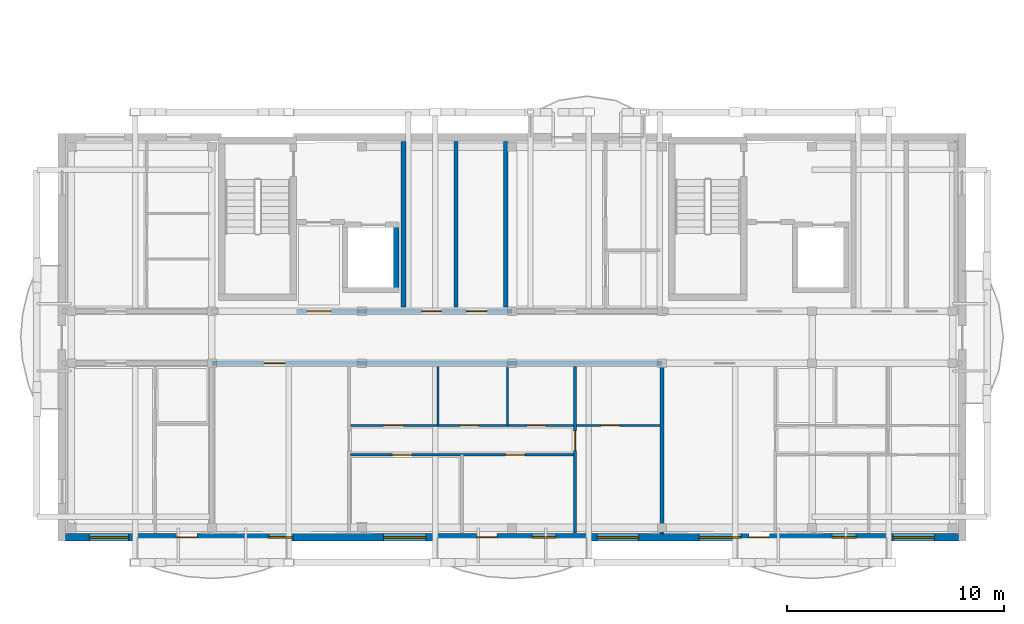
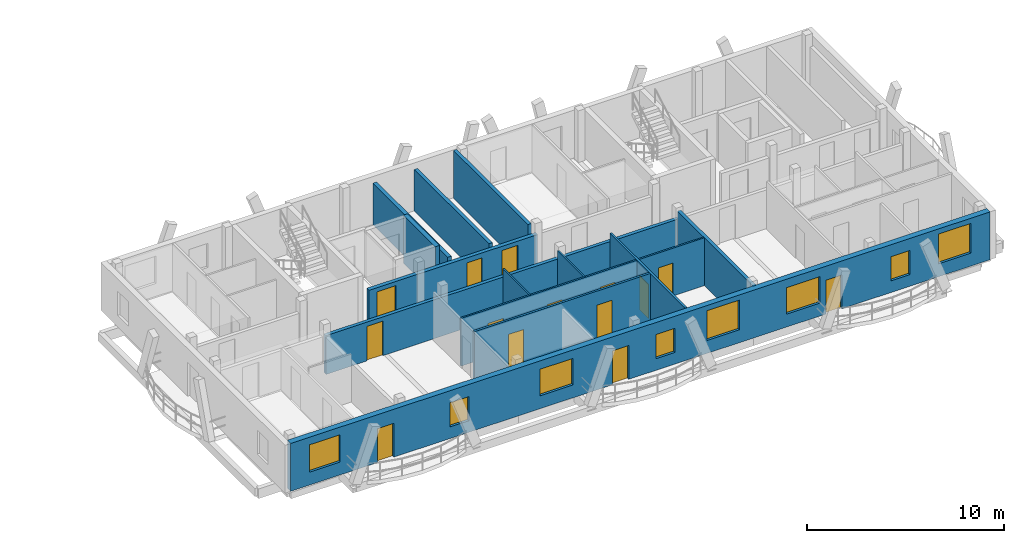
# One storey, part 5 of 10: 14 doors, 13 walls, 8 windows, 22 openings.
"""IFC4 building model written with IfcOpenShell, lengths in metres."""

from ifc_helpers import new_model, si_unit, direction, frame, frame_2d, origin, origin_with_axes, place, context, subcontext, project, spatial, rectangle, extrude, material, layer, layer_set, type_object, element, fill, save


model = new_model("IFC4")

# Units and contexts
model_context = context("Model", 3, precision=1e-05, world=origin(), true_north=direction((0.0, 1.0)))
body_context = subcontext(model_context, "Body", "Model", "MODEL_VIEW")
ifc_project = project(units=[si_unit("LENGTHUNIT", "METRE"), si_unit("AREAUNIT", "SQUARE_METRE"), si_unit("VOLUMEUNIT", "CUBIC_METRE"), si_unit("PLANEANGLEUNIT", "RADIAN"), si_unit("MASSUNIT", "GRAM", prefix="KILO")], contexts=[model_context])

# Site, building, storey
site_placement = place(None, origin())
site = spatial("IfcSite", under=ifc_project, at=site_placement, CompositionType="ELEMENT")
building_placement = place(site_placement, origin())
building = spatial("IfcBuilding", under=site, at=building_placement, Name="Zavelmont Quarter", CompositionType="ELEMENT")
storey_placement = place(building_placement, frame((0.0, 0.0, 43.199951171875)))
storey = spatial("IfcBuildingStorey", under=building, at=storey_placement, Name="L13", CompositionType="ELEMENT", Elevation=43.199951171875)

# Wall, openings, doors, windows
ifc_material_1 = material(Name="Natural Belgian limestone", Category="masonry")
ifc_layer_1 = layer(ifc_material_1, 0.340087890625)
ifc_layer_set_1 = layer_set([ifc_layer_1], Name="Natural Belgian limestone")
wall_type_1 = type_object("IfcWallType", Name="EW03", PredefinedType="STANDARD", material=ifc_layer_set_1)
wall_1_placement = place(storey_placement, frame((0.159912109375, 0.0, 0.0), z_axis=(0.0, 0.0, 1.0), x_axis=(1.0, 0.0, 0.0)))
wall_1 = element("IfcWall", 1, at=wall_1_placement, inside=storey, type_object=wall_type_1, Name="L13 exterior limestone wall EW03", PredefinedType="STANDARD", context=body_context, shape_type="SweptSolid", body=[
    extrude(rectangle(XDim=41.080078125, YDim=0.340087890625, at=frame_2d((20.5400390625, 0.0))), origin(), (0.0, 0.0, 1.0), 2.969970703125),
])
opening_1_placement = place(wall_1_placement, frame((5.110107421875, 0.0, 0.0)))
opening_1 = element("IfcOpeningElement", 2, at=opening_1_placement, cuts=wall_1, Name="Opening DR04", PredefinedType="OPENING", context=body_context, shape_type="SweptSolid", body=[
    extrude(rectangle(XDim=0.949951171875, YDim=2.10009765625, at=frame_2d((0.47509765625, 1.050048828125))), frame((0.0, 0.18212890625, 0.0), z_axis=(0.0, -1.0, 0.0), x_axis=(1.0, 0.0, 0.0)), (0.0, 0.0, 1.0), 0.364013671875),
])
opening_2_placement = place(wall_1_placement, frame((18.909912109375, 0.0, 0.0)))
opening_2 = element("IfcOpeningElement", 3, at=opening_2_placement, cuts=wall_1, Name="Opening DR04", PredefinedType="OPENING", context=body_context, shape_type="SweptSolid", body=[
    extrude(rectangle(XDim=0.949951171875, YDim=2.10009765625, at=frame_2d((0.47509765625, 1.050048828125))), frame((0.0, 0.18212890625, 0.0), z_axis=(0.0, -1.0, 0.0), x_axis=(1.0, 0.0, 0.0)), (0.0, 0.0, 1.0), 0.364013671875),
])
opening_3_placement = place(wall_1_placement, frame((31.43115234375, 0.0, 0.0)))
opening_3 = element("IfcOpeningElement", 4, at=opening_3_placement, cuts=wall_1, Name="Opening DR04", PredefinedType="OPENING", context=body_context, shape_type="SweptSolid", body=[
    extrude(rectangle(XDim=0.949951171875, YDim=2.10009765625, at=frame_2d((0.47509765625, 1.050048828125))), frame((0.0, 0.18212890625, 0.0), z_axis=(0.0, -1.0, 0.0), x_axis=(1.0, 0.0, 0.0)), (0.0, 0.0, 1.0), 0.364013671875),
])
opening_4_placement = place(wall_1_placement, frame((1.110107421875, 0.0, 0.800048828125)))
opening_4 = element("IfcOpeningElement", 5, at=opening_4_placement, cuts=wall_1, Name="Opening WN02", PredefinedType="OPENING", context=body_context, shape_type="SweptSolid", body=[
    extrude(rectangle(XDim=1.800048828125, YDim=1.699951171875, at=frame_2d((0.89990234375, 0.85009765625))), frame((0.0, 0.18212890625, 0.0), z_axis=(0.0, -1.0, 0.0), x_axis=(1.0, 0.0, 0.0)), (0.0, 0.0, 1.0), 0.364013671875),
])
opening_5_placement = place(wall_1_placement, frame((9.360107421875, 0.0, 0.719970703125)))
opening_5 = element("IfcOpeningElement", 6, at=opening_5_placement, cuts=wall_1, Name="Opening WN09", PredefinedType="OPENING", context=body_context, shape_type="SweptSolid", body=[
    extrude(rectangle(XDim=1.10009765625, YDim=1.5, at=frame_2d((0.550048828125, 0.75))), frame((0.0, 0.18212890625, 0.0), z_axis=(0.0, -1.0, 0.0), x_axis=(1.0, 0.0, 0.0)), (0.0, 0.0, 1.0), 0.364013671875),
])
opening_6_placement = place(wall_1_placement, frame((14.635009765625, 0.0, 0.800048828125)))
opening_6 = element("IfcOpeningElement", 7, at=opening_6_placement, cuts=wall_1, Name="Opening WN24", PredefinedType="OPENING", context=body_context, shape_type="SweptSolid", body=[
    extrude(rectangle(XDim=1.949951171875, YDim=1.64990234375, at=frame_2d((0.97509765625, 0.824951171875))), frame((0.0, 0.18212890625, 0.0), z_axis=(0.0, -1.0, 0.0), x_axis=(1.0, 0.0, 0.0)), (0.0, 0.0, 1.0), 0.364013671875),
])
opening_7_placement = place(wall_1_placement, frame((21.4599609375, 0.0, 0.719970703125)))
opening_7 = element("IfcOpeningElement", 8, at=opening_7_placement, cuts=wall_1, Name="Opening WN09", PredefinedType="OPENING", context=body_context, shape_type="SweptSolid", body=[
    extrude(rectangle(XDim=1.10009765625, YDim=1.5, at=frame_2d((0.550048828125, 0.75))), frame((0.0, 0.18212890625, 0.0), z_axis=(0.0, -1.0, 0.0), x_axis=(1.0, 0.0, 0.0)), (0.0, 0.0, 1.0), 0.364013671875),
])
opening_8_placement = place(wall_1_placement, frame((24.4599609375, 0.0, 0.800048828125)))
opening_8 = element("IfcOpeningElement", 9, at=opening_8_placement, cuts=wall_1, Name="Opening WN20", PredefinedType="OPENING", context=body_context, shape_type="SweptSolid", body=[
    extrude(rectangle(XDim=1.89990234375, YDim=1.85009765625, at=frame_2d((0.949951171875, 0.925048828125))), frame((0.0, 0.18212890625, 0.0), z_axis=(0.0, -1.0, 0.0), x_axis=(1.0, 0.0, 0.0)), (0.0, 0.0, 1.0), 0.364013671875),
])
opening_9_placement = place(wall_1_placement, frame((29.135009765625, 0.0, 0.800048828125)))
opening_9 = element("IfcOpeningElement", 10, at=opening_9_placement, cuts=wall_1, Name="Opening WN24", PredefinedType="OPENING", context=body_context, shape_type="SweptSolid", body=[
    extrude(rectangle(XDim=1.949951171875, YDim=1.64990234375, at=frame_2d((0.97509765625, 0.824951171875))), frame((0.0, 0.18212890625, 0.0), z_axis=(0.0, -1.0, 0.0), x_axis=(1.0, 0.0, 0.0)), (0.0, 0.0, 1.0), 0.364013671875),
])
opening_10_placement = place(wall_1_placement, frame((35.260009765625, 0.0, 0.719970703125)))
opening_10 = element("IfcOpeningElement", 11, at=opening_10_placement, cuts=wall_1, Name="Opening WN09", PredefinedType="OPENING", context=body_context, shape_type="SweptSolid", body=[
    extrude(rectangle(XDim=1.10009765625, YDim=1.5, at=frame_2d((0.550048828125, 0.75))), frame((0.0, 0.18212890625, 0.0), z_axis=(0.0, -1.0, 0.0), x_axis=(1.0, 0.0, 0.0)), (0.0, 0.0, 1.0), 0.364013671875),
])
opening_11_placement = place(wall_1_placement, frame((38.06005859375, 0.0, 0.800048828125)))
opening_11 = element("IfcOpeningElement", 12, at=opening_11_placement, cuts=wall_1, Name="Opening WN20", PredefinedType="OPENING", context=body_context, shape_type="SweptSolid", body=[
    extrude(rectangle(XDim=1.89990234375, YDim=1.85009765625, at=frame_2d((0.949951171875, 0.925048828125))), frame((0.0, 0.18212890625, 0.0), z_axis=(0.0, -1.0, 0.0), x_axis=(1.0, 0.0, 0.0)), (0.0, 0.0, 1.0), 0.364013671875),
])
ifc_material_2 = material(Name="Thermally broken aluminium and double safety glass", Category="aluminium")
door_type_1 = type_object("IfcDoorType", Name="DR04", OperationType="NOTDEFINED", PredefinedType="DOOR", material=ifc_material_2)
door_1_placement = place(opening_1_placement, origin_with_axes())
door_1 = element("IfcDoor", 13, at=door_1_placement, inside=storey, type_object=door_type_1, Name="Block A L13 glazed balcony door", OperationType="SINGLE_SWING_RIGHT", OverallHeight=2.10009765625, OverallWidth=0.949951171875, PredefinedType="DOOR", context=body_context, shape_type="SweptSolid", body=[
    extrude(rectangle(XDim=0.949951171875, YDim=2.10009765625, at=frame_2d((0.47509765625, 1.050048828125))), frame((0.0, 0.02490234375, 0.0), z_axis=(0.0, -1.0, 0.0), x_axis=(1.0, 0.0, 0.0)), (0.0, 0.0, 1.0), 0.050048828125),
])
fill(opening_1, door_1)
door_2_placement = place(opening_2_placement, origin_with_axes())
door_2 = element("IfcDoor", 14, at=door_2_placement, inside=storey, type_object=door_type_1, Name="Block A L13 glazed balcony door", OperationType="SINGLE_SWING_RIGHT", OverallHeight=2.10009765625, OverallWidth=0.949951171875, PredefinedType="DOOR", context=body_context, shape_type="SweptSolid", body=[
    extrude(rectangle(XDim=0.949951171875, YDim=2.10009765625, at=frame_2d((0.47509765625, 1.050048828125))), frame((0.0, 0.02490234375, 0.0), z_axis=(0.0, -1.0, 0.0), x_axis=(1.0, 0.0, 0.0)), (0.0, 0.0, 1.0), 0.050048828125),
])
fill(opening_2, door_2)
door_3_placement = place(opening_3_placement, origin_with_axes())
door_3 = element("IfcDoor", 15, at=door_3_placement, inside=storey, type_object=door_type_1, Name="Block A L13 glazed balcony door", OperationType="SINGLE_SWING_RIGHT", OverallHeight=2.10009765625, OverallWidth=0.949951171875, PredefinedType="DOOR", context=body_context, shape_type="SweptSolid", body=[
    extrude(rectangle(XDim=0.949951171875, YDim=2.10009765625, at=frame_2d((0.47509765625, 1.050048828125))), frame((0.0, 0.02490234375, 0.0), z_axis=(0.0, -1.0, 0.0), x_axis=(1.0, 0.0, 0.0)), (0.0, 0.0, 1.0), 0.050048828125),
])
fill(opening_3, door_3)
ifc_material_3 = material(Name="Double low-E insulated glazing in thermally broken aluminium frame", Category="aluminium")
window_type_1 = type_object("IfcWindowType", Name="WN02", PartitioningType="SINGLE_PANEL", PredefinedType="WINDOW", material=ifc_material_3)
window_1_placement = place(opening_4_placement, origin_with_axes())
window_1 = element("IfcWindow", 16, at=window_1_placement, inside=storey, type_object=window_type_1, Name="L13 window WN02", OverallHeight=1.699951171875, OverallWidth=1.800048828125, PartitioningType="SINGLE_PANEL", PredefinedType="WINDOW", context=body_context, shape_type="SweptSolid", body=[
    extrude(rectangle(XDim=1.800048828125, YDim=1.699951171875, at=frame_2d((0.89990234375, 0.85009765625))), frame((0.0, 0.030029296875, 0.0), z_axis=(0.0, -1.0, 0.0), x_axis=(1.0, 0.0, 0.0)), (0.0, 0.0, 1.0), 0.06005859375),
])
fill(opening_4, window_1)
window_type_2 = type_object("IfcWindowType", Name="WN09", PartitioningType="SINGLE_PANEL", PredefinedType="WINDOW", material=ifc_material_3)
window_2_placement = place(opening_5_placement, origin_with_axes())
window_2 = element("IfcWindow", 17, at=window_2_placement, inside=storey, type_object=window_type_2, Name="L13 window WN09", OverallHeight=1.5, OverallWidth=1.10009765625, PartitioningType="SINGLE_PANEL", PredefinedType="WINDOW", context=body_context, shape_type="SweptSolid", body=[
    extrude(rectangle(XDim=1.10009765625, YDim=1.5, at=frame_2d((0.550048828125, 0.75))), frame((0.0, 0.030029296875, 0.0), z_axis=(0.0, -1.0, 0.0), x_axis=(1.0, 0.0, 0.0)), (0.0, 0.0, 1.0), 0.06005859375),
])
fill(opening_5, window_2)
window_3_placement = place(opening_7_placement, origin_with_axes())
window_3 = element("IfcWindow", 18, at=window_3_placement, inside=storey, type_object=window_type_2, Name="L13 window WN09", OverallHeight=1.5, OverallWidth=1.10009765625, PartitioningType="SINGLE_PANEL", PredefinedType="WINDOW", context=body_context, shape_type="SweptSolid", body=[
    extrude(rectangle(XDim=1.10009765625, YDim=1.5, at=frame_2d((0.550048828125, 0.75))), frame((0.0, 0.030029296875, 0.0), z_axis=(0.0, -1.0, 0.0), x_axis=(1.0, 0.0, 0.0)), (0.0, 0.0, 1.0), 0.06005859375),
])
fill(opening_7, window_3)
window_4_placement = place(opening_10_placement, origin_with_axes())
window_4 = element("IfcWindow", 19, at=window_4_placement, inside=storey, type_object=window_type_2, Name="L13 window WN09", OverallHeight=1.5, OverallWidth=1.10009765625, PartitioningType="SINGLE_PANEL", PredefinedType="WINDOW", context=body_context, shape_type="SweptSolid", body=[
    extrude(rectangle(XDim=1.10009765625, YDim=1.5, at=frame_2d((0.550048828125, 0.75))), frame((0.0, 0.030029296875, 0.0), z_axis=(0.0, -1.0, 0.0), x_axis=(1.0, 0.0, 0.0)), (0.0, 0.0, 1.0), 0.06005859375),
])
fill(opening_10, window_4)
window_type_3 = type_object("IfcWindowType", Name="WN20", PartitioningType="SINGLE_PANEL", PredefinedType="WINDOW", material=ifc_material_3)
window_5_placement = place(opening_8_placement, origin_with_axes())
window_5 = element("IfcWindow", 20, at=window_5_placement, inside=storey, type_object=window_type_3, Name="L13 window WN20", OverallHeight=1.85009765625, OverallWidth=1.89990234375, PartitioningType="SINGLE_PANEL", PredefinedType="WINDOW", context=body_context, shape_type="SweptSolid", body=[
    extrude(rectangle(XDim=1.89990234375, YDim=1.85009765625, at=frame_2d((0.949951171875, 0.925048828125))), frame((0.0, 0.030029296875, 0.0), z_axis=(0.0, -1.0, 0.0), x_axis=(1.0, 0.0, 0.0)), (0.0, 0.0, 1.0), 0.06005859375),
])
fill(opening_8, window_5)
window_6_placement = place(opening_11_placement, origin_with_axes())
window_6 = element("IfcWindow", 21, at=window_6_placement, inside=storey, type_object=window_type_3, Name="L13 window WN20", OverallHeight=1.85009765625, OverallWidth=1.89990234375, PartitioningType="SINGLE_PANEL", PredefinedType="WINDOW", context=body_context, shape_type="SweptSolid", body=[
    extrude(rectangle(XDim=1.89990234375, YDim=1.85009765625, at=frame_2d((0.949951171875, 0.925048828125))), frame((0.0, 0.030029296875, 0.0), z_axis=(0.0, -1.0, 0.0), x_axis=(1.0, 0.0, 0.0)), (0.0, 0.0, 1.0), 0.06005859375),
])
fill(opening_11, window_6)
window_type_4 = type_object("IfcWindowType", Name="WN24", PartitioningType="SINGLE_PANEL", PredefinedType="WINDOW", material=ifc_material_3)
window_7_placement = place(opening_6_placement, origin_with_axes())
window_7 = element("IfcWindow", 22, at=window_7_placement, inside=storey, type_object=window_type_4, Name="L13 window WN24", OverallHeight=1.64990234375, OverallWidth=1.949951171875, PartitioningType="SINGLE_PANEL", PredefinedType="WINDOW", context=body_context, shape_type="SweptSolid", body=[
    extrude(rectangle(XDim=1.949951171875, YDim=1.64990234375, at=frame_2d((0.97509765625, 0.824951171875))), frame((0.0, 0.030029296875, 0.0), z_axis=(0.0, -1.0, 0.0), x_axis=(1.0, 0.0, 0.0)), (0.0, 0.0, 1.0), 0.06005859375),
])
fill(opening_6, window_7)
window_8_placement = place(opening_9_placement, origin_with_axes())
window_8 = element("IfcWindow", 23, at=window_8_placement, inside=storey, type_object=window_type_4, Name="L13 window WN24", OverallHeight=1.64990234375, OverallWidth=1.949951171875, PartitioningType="SINGLE_PANEL", PredefinedType="WINDOW", context=body_context, shape_type="SweptSolid", body=[
    extrude(rectangle(XDim=1.949951171875, YDim=1.64990234375, at=frame_2d((0.97509765625, 0.824951171875))), frame((0.0, 0.030029296875, 0.0), z_axis=(0.0, -1.0, 0.0), x_axis=(1.0, 0.0, 0.0)), (0.0, 0.0, 1.0), 0.06005859375),
])
fill(opening_9, window_8)

# Walls
ifc_material_4 = material(Name="Calcium-silicate blockwork and acoustic plaster", Category="masonry")
ifc_layer_2 = layer(ifc_material_4, 0.199951171875)
ifc_layer_set_2 = layer_set([ifc_layer_2], Name="Calcium-silicate blockwork and acoustic plaster")
wall_type_2 = type_object("IfcWallType", Name="IW01", PredefinedType="PARTITIONING", material=ifc_layer_set_2)
wall_2_placement = place(storey_placement, frame((18.125, 10.60009765625, 0.0), z_axis=(0.0, 0.0, 1.0), x_axis=(0.0, 1.0, 0.0)))
element("IfcWall", 24, at=wall_2_placement, inside=storey, type_object=wall_type_2, Name="L13 Service riser divider wall IW01", PredefinedType="PARTITIONING", context=body_context, shape_type="SweptSolid", body=[
    extrude(rectangle(XDim=7.599853515625, YDim=0.199951171875, at=frame_2d((3.7998046875, 0.0))), origin(), (0.0, 0.0, 1.0), 2.590087890625),
])
wall_3_placement = place(storey_placement, frame((20.419921875, 10.60009765625, 0.0), z_axis=(0.0, 0.0, 1.0), x_axis=(0.0, 1.0, 0.0)))
element("IfcWall", 25, at=wall_3_placement, inside=storey, type_object=wall_type_2, Name="L13 Core service end wall IW01", PredefinedType="PARTITIONING", context=body_context, shape_type="SweptSolid", body=[
    extrude(rectangle(XDim=7.599853515625, YDim=0.199951171875, at=frame_2d((3.7998046875, 0.0))), origin(), (0.0, 0.0, 1.0), 2.969970703125),
])
wall_4_placement = place(storey_placement, frame((27.60009765625, 7.85009765625, 0.0), z_axis=(0.0, 0.0, 1.0), x_axis=(0.0, -1.0, 0.0)))
element("IfcWall", 26, at=wall_4_placement, inside=storey, type_object=wall_type_2, Name="L13 Inter-dwelling compartment wall IW01", PredefinedType="PARTITIONING", context=body_context, shape_type="SweptSolid", body=[
    extrude(rectangle(XDim=7.7001953125, YDim=0.199951171875, at=frame_2d((3.85009765625, 0.0))), origin(), (0.0, 0.0, 1.0), 2.969970703125),
])

# Wall, opening, door
wall_5_placement = place(storey_placement, frame((6.89990234375, 8.0, 0.0), z_axis=(0.0, 0.0, 1.0), x_axis=(1.0, 0.0, 0.0)))
wall_5 = element("IfcWall", 27, at=wall_5_placement, inside=storey, type_object=wall_type_2, Name="L13 Corridor compartment wall IW01", PredefinedType="PARTITIONING", context=body_context, shape_type="SweptSolid", body=[
    extrude(rectangle(XDim=20.7001953125, YDim=0.199951171875, at=frame_2d((10.35009765625, 0.0))), origin(), (0.0, 0.0, 1.0), 2.41015625),
])
opening_12_placement = place(wall_5_placement, frame((2.39990234375, 0.0, 0.0)))
opening_12 = element("IfcOpeningElement", 28, at=opening_12_placement, cuts=wall_5, Name="Opening DR02", PredefinedType="OPENING", context=body_context, shape_type="SweptSolid", body=[
    extrude(rectangle(XDim=0.949951171875, YDim=2.14990234375, at=frame_2d((0.47509765625, 1.074951171875))), frame((0.0, 0.11181640625, 0.0), z_axis=(0.0, -1.0, 0.0), x_axis=(1.0, 0.0, 0.0)), (0.0, 0.0, 1.0), 0.223876953125),
])
ifc_material_5 = material(Name="Solid-core oak fire leaf in steel frame", Category="steel")
door_type_2 = type_object("IfcDoorType", Name="DR02", OperationType="NOTDEFINED", PredefinedType="DOOR", material=ifc_material_5)
door_4_placement = place(opening_12_placement, frame((0.949951171875, 0.0, 0.0), z_axis=(0.0, 0.0, 1.0), x_axis=(-1.0, 0.0, 0.0)))
door_4 = element("IfcDoor", 29, at=door_4_placement, inside=storey, type_object=door_type_2, Name="L13 door DR02", OperationType="SINGLE_SWING_LEFT", OverallHeight=2.14990234375, OverallWidth=0.949951171875, PredefinedType="DOOR", context=body_context, shape_type="SweptSolid", body=[
    extrude(rectangle(XDim=0.949951171875, YDim=2.14990234375, at=frame_2d((0.47509765625, 1.074951171875))), frame((0.0, 0.02490234375, 0.0), z_axis=(0.0, -1.0, 0.0), x_axis=(1.0, 0.0, 0.0)), (0.0, 0.0, 1.0), 0.050048828125),
])
fill(opening_12, door_4)

# Wall
ifc_material_6 = material(Name="Reinforced masonry fire compartment wall", Category="masonry")
ifc_layer_3 = layer(ifc_material_6, 0.22509765625)
ifc_layer_set_3 = layer_set([ifc_layer_3], Name="Reinforced masonry fire compartment wall")
wall_type_3 = type_object("IfcWallType", Name="IW02", PredefinedType="PARTITIONING", material=ifc_layer_set_3)
wall_6_placement = place(storey_placement, frame((15.7099609375, 10.60009765625, 0.0), z_axis=(0.0, 0.0, 1.0), x_axis=(0.0, 1.0, 0.0)))
element("IfcWall", 30, at=wall_6_placement, inside=storey, type_object=wall_type_3, Name="L13 Firefighting lobby enclosure wall IW02", PredefinedType="PARTITIONING", context=body_context, shape_type="SweptSolid", body=[
    extrude(rectangle(XDim=7.599853515625, YDim=0.22509765625, at=frame_2d((3.7998046875, 0.0))), origin(), (0.0, 0.0, 1.0), 2.590087890625),
])

# Wall, openings, doors
wall_7_placement = place(storey_placement, frame((10.800048828125, 10.39990234375, 0.0), z_axis=(0.0, 0.0, 1.0), x_axis=(1.0, 0.0, 0.0)))
wall_7 = element("IfcWall", 31, at=wall_7_placement, inside=storey, type_object=wall_type_3, Name="L13 Core corridor fire wall IW02", PredefinedType="PARTITIONING", context=body_context, shape_type="SweptSolid", body=[
    extrude(rectangle(XDim=9.89990234375, YDim=0.22509765625, at=frame_2d((4.949951171875, 0.0))), origin(), (0.0, 0.0, 1.0), 2.41015625),
])
opening_13_placement = place(wall_7_placement, frame((0.47509765625, 0.0, 0.0)))
opening_13 = element("IfcOpeningElement", 32, at=opening_13_placement, cuts=wall_7, Name="Opening DR10", PredefinedType="OPENING", context=body_context, shape_type="SweptSolid", body=[
    extrude(rectangle(XDim=1.10009765625, YDim=2.14990234375, at=frame_2d((0.550048828125, 1.074951171875))), frame((0.0, 0.12451171875, 0.0), z_axis=(0.0, -1.0, 0.0), x_axis=(1.0, 0.0, 0.0)), (0.0, 0.0, 1.0), 0.2490234375),
])
opening_14_placement = place(wall_7_placement, frame((5.75, 0.0, 0.0)))
opening_14 = element("IfcOpeningElement", 33, at=opening_14_placement, cuts=wall_7, Name="Opening DR11", PredefinedType="OPENING", context=body_context, shape_type="SweptSolid", body=[
    extrude(rectangle(XDim=0.89990234375, YDim=2.10009765625, at=frame_2d((0.449951171875, 1.050048828125))), frame((0.0, 0.12451171875, 0.0), z_axis=(0.0, -1.0, 0.0), x_axis=(1.0, 0.0, 0.0)), (0.0, 0.0, 1.0), 0.2490234375),
])
opening_15_placement = place(wall_7_placement, frame((7.800048828125, 0.0, 0.0)))
opening_15 = element("IfcOpeningElement", 34, at=opening_15_placement, cuts=wall_7, Name="Opening DR02", PredefinedType="OPENING", context=body_context, shape_type="SweptSolid", body=[
    extrude(rectangle(XDim=0.949951171875, YDim=2.14990234375, at=frame_2d((0.47509765625, 1.074951171875))), frame((0.0, 0.12451171875, 0.0), z_axis=(0.0, -1.0, 0.0), x_axis=(1.0, 0.0, 0.0)), (0.0, 0.0, 1.0), 0.2490234375),
])
door_5_placement = place(opening_15_placement, frame((0.949951171875, 0.0, 0.0), z_axis=(0.0, 0.0, 1.0), x_axis=(-1.0, 0.0, 0.0)))
door_5 = element("IfcDoor", 35, at=door_5_placement, inside=storey, type_object=door_type_2, Name="Auxiliary store corridor door", OperationType="SINGLE_SWING_RIGHT", OverallHeight=2.14990234375, OverallWidth=0.949951171875, PredefinedType="DOOR", context=body_context, shape_type="SweptSolid", body=[
    extrude(rectangle(XDim=0.949951171875, YDim=2.14990234375, at=frame_2d((0.47509765625, 1.074951171875))), frame((0.0, 0.02490234375, 0.0), z_axis=(0.0, -1.0, 0.0), x_axis=(1.0, 0.0, 0.0)), (0.0, 0.0, 1.0), 0.050048828125),
])
fill(opening_15, door_5)
ifc_material_7 = material(Name="Painted steel lobby fire door", Category="steel")
door_type_3 = type_object("IfcDoorType", Name="DR10", OperationType="NOTDEFINED", PredefinedType="DOOR", material=ifc_material_7)
door_6_placement = place(opening_13_placement, origin_with_axes())
door_6 = element("IfcDoor", 36, at=door_6_placement, inside=storey, type_object=door_type_3, Name="Core vestibule fire door", OperationType="SINGLE_SWING_RIGHT", OverallHeight=2.14990234375, OverallWidth=1.10009765625, PredefinedType="DOOR", context=body_context, shape_type="SweptSolid", body=[
    extrude(rectangle(XDim=1.10009765625, YDim=2.14990234375, at=frame_2d((0.550048828125, 1.074951171875))), frame((0.0, 0.02490234375, 0.0), z_axis=(0.0, -1.0, 0.0), x_axis=(1.0, 0.0, 0.0)), (0.0, 0.0, 1.0), 0.050048828125),
])
fill(opening_13, door_6)
ifc_material_8 = material(Name="Painted steel service-riser fire door", Category="steel")
door_type_4 = type_object("IfcDoorType", Name="DR11", OperationType="NOTDEFINED", PredefinedType="DOOR", material=ifc_material_8)
door_7_placement = place(opening_14_placement, frame((0.89990234375, 0.0, 0.0), z_axis=(0.0, 0.0, 1.0), x_axis=(-1.0, 0.0, 0.0)))
door_7 = element("IfcDoor", 37, at=door_7_placement, inside=storey, type_object=door_type_4, Name="Service riser fire door", OperationType="SINGLE_SWING_LEFT", OverallHeight=2.10009765625, OverallWidth=0.89990234375, PredefinedType="DOOR", context=body_context, shape_type="SweptSolid", body=[
    extrude(rectangle(XDim=0.89990234375, YDim=2.10009765625, at=frame_2d((0.449951171875, 1.050048828125))), frame((0.0, 0.02490234375, 0.0), z_axis=(0.0, -1.0, 0.0), x_axis=(1.0, 0.0, 0.0)), (0.0, 0.0, 1.0), 0.050048828125),
])
fill(opening_14, door_7)

# Wall, opening, door
ifc_material_9 = material(Name="Double gypsum board on acoustic steel stud", Category="steel")
ifc_layer_4 = layer(ifc_material_9, 0.125)
ifc_layer_set_4 = layer_set([ifc_layer_4], Name="Double gypsum board on acoustic steel stud")
wall_type_4 = type_object("IfcWallType", Name="IW03", PredefinedType="PARTITIONING", material=ifc_layer_set_4)
wall_8_placement = place(storey_placement, frame((23.60009765625, 7.85009765625, 0.0), z_axis=(0.0, 0.0, 1.0), x_axis=(0.0, -1.0, 0.0)))
wall_8 = element("IfcWall", 38, at=wall_8_placement, inside=storey, type_object=wall_type_4, Name="L13 Partition IW03", PredefinedType="PARTITIONING", context=body_context, shape_type="SweptSolid", body=[
    extrude(rectangle(XDim=7.650146484375, YDim=0.125, at=frame_2d((3.8251953125, 0.0))), origin(), (0.0, 0.0, 1.0), 2.969970703125),
])
opening_16_placement = place(wall_8_placement, frame((2.949951171875, 0.0, 0.0)))
opening_16 = element("IfcOpeningElement", 39, at=opening_16_placement, cuts=wall_8, Name="Opening DR05", PredefinedType="OPENING", context=body_context, shape_type="SweptSolid", body=[
    extrude(rectangle(XDim=0.89990234375, YDim=2.10009765625, at=frame_2d((0.449951171875, 1.050048828125))), frame((0.0, 0.074462890625, 0.0), z_axis=(0.0, -1.0, 0.0), x_axis=(1.0, 0.0, 0.0)), (0.0, 0.0, 1.0), 0.14892578125),
])
ifc_material_10 = material(Name="Engineered oak flush interior door")
door_type_5 = type_object("IfcDoorType", Name="DR05", OperationType="NOTDEFINED", PredefinedType="DOOR", material=ifc_material_10)
door_8_placement = place(opening_16_placement, origin_with_axes())
door_8 = element("IfcDoor", 40, at=door_8_placement, inside=storey, type_object=door_type_5, Name="L13 door DR05", OperationType="SINGLE_SWING_RIGHT", OverallHeight=2.10009765625, OverallWidth=0.89990234375, PredefinedType="DOOR", context=body_context, shape_type="SweptSolid", body=[
    extrude(rectangle(XDim=0.89990234375, YDim=2.10009765625, at=frame_2d((0.449951171875, 1.050048828125))), frame((0.0, 0.02490234375, 0.0), z_axis=(0.0, -1.0, 0.0), x_axis=(1.0, 0.0, 0.0)), (0.0, 0.0, 1.0), 0.050048828125),
])
fill(opening_16, door_8)

# Wall, openings, doors
wall_9_placement = place(storey_placement, frame((13.199951171875, 3.800048828125, 0.0), z_axis=(0.0, 0.0, 1.0), x_axis=(1.0, 0.0, 0.0)))
wall_9 = element("IfcWall", 41, at=wall_9_placement, inside=storey, type_object=wall_type_4, Name="L13 Partition IW03", PredefinedType="PARTITIONING", context=body_context, shape_type="SweptSolid", body=[
    extrude(rectangle(XDim=10.400146484375, YDim=0.125, at=frame_2d((5.2001953125, 0.0))), origin(), (0.0, 0.0, 1.0), 2.969970703125),
])
opening_17_placement = place(wall_9_placement, frame((2.0, 0.0, 0.0)))
opening_17 = element("IfcOpeningElement", 42, at=opening_17_placement, cuts=wall_9, Name="Opening DR05", PredefinedType="OPENING", context=body_context, shape_type="SweptSolid", body=[
    extrude(rectangle(XDim=0.89990234375, YDim=2.10009765625, at=frame_2d((0.449951171875, 1.050048828125))), frame((0.0, 0.074462890625, 0.0), z_axis=(0.0, -1.0, 0.0), x_axis=(1.0, 0.0, 0.0)), (0.0, 0.0, 1.0), 0.14892578125),
])
opening_18_placement = place(wall_9_placement, frame((7.199951171875, 0.0, 0.0)))
opening_18 = element("IfcOpeningElement", 43, at=opening_18_placement, cuts=wall_9, Name="Opening DR05", PredefinedType="OPENING", context=body_context, shape_type="SweptSolid", body=[
    extrude(rectangle(XDim=0.89990234375, YDim=2.10009765625, at=frame_2d((0.449951171875, 1.050048828125))), frame((0.0, 0.074462890625, 0.0), z_axis=(0.0, -1.0, 0.0), x_axis=(1.0, 0.0, 0.0)), (0.0, 0.0, 1.0), 0.14892578125),
])
door_9_placement = place(opening_17_placement, frame((0.89990234375, 0.0, 0.0), z_axis=(0.0, 0.0, 1.0), x_axis=(-1.0, 0.0, 0.0)))
door_9 = element("IfcDoor", 44, at=door_9_placement, inside=storey, type_object=door_type_5, Name="L13 door DR05", OperationType="SINGLE_SWING_LEFT", OverallHeight=2.10009765625, OverallWidth=0.89990234375, PredefinedType="DOOR", context=body_context, shape_type="SweptSolid", body=[
    extrude(rectangle(XDim=0.89990234375, YDim=2.10009765625, at=frame_2d((0.449951171875, 1.050048828125))), frame((0.0, 0.02490234375, 0.0), z_axis=(0.0, -1.0, 0.0), x_axis=(1.0, 0.0, 0.0)), (0.0, 0.0, 1.0), 0.050048828125),
])
fill(opening_17, door_9)
door_10_placement = place(opening_18_placement, origin_with_axes())
door_10 = element("IfcDoor", 45, at=door_10_placement, inside=storey, type_object=door_type_5, Name="L13 door DR05", OperationType="SINGLE_SWING_RIGHT", OverallHeight=2.10009765625, OverallWidth=0.89990234375, PredefinedType="DOOR", context=body_context, shape_type="SweptSolid", body=[
    extrude(rectangle(XDim=0.89990234375, YDim=2.10009765625, at=frame_2d((0.449951171875, 1.050048828125))), frame((0.0, 0.02490234375, 0.0), z_axis=(0.0, -1.0, 0.0), x_axis=(1.0, 0.0, 0.0)), (0.0, 0.0, 1.0), 0.050048828125),
])
fill(opening_18, door_10)

# Walls
ifc_material_11 = material(Name="Moisture-resistant gypsum board on steel stud", Category="steel")
ifc_layer_5 = layer(ifc_material_11, 0.10009765625)
ifc_layer_set_5 = layer_set([ifc_layer_5], Name="Moisture-resistant gypsum board on steel stud")
wall_type_5 = type_object("IfcWallType", Name="IW04", PredefinedType="PARTITIONING", material=ifc_layer_set_5)
for number, where, z_axis, x_axis, name in (
    (46, (17.300048828125, 7.85009765625, 0.0), (0.0, 0.0, 1.0), (0.0, -1.0, 0.0), "L13 Partition IW04"),
    (47, (20.5, 7.85009765625, 0.0), (0.0, 0.0, 1.0), (0.0, -1.0, 0.0), "L13 Partition IW04"),
):
    element("IfcWall", number, at=place(storey_placement, frame(where, z_axis=z_axis, x_axis=x_axis)), inside=storey, type_object=wall_type_5, Name=name, PredefinedType="PARTITIONING", context=body_context, shape_type="SweptSolid", body=[
        extrude(rectangle(XDim=2.7001953125, YDim=0.10009765625, at=frame_2d((1.35009765625, 0.0))), origin(), (0.0, 0.0, 1.0), 2.969970703125),
    ])

# Wall, openings, doors
wall_10_placement = place(storey_placement, frame((13.199951171875, 5.14990234375, 0.0), z_axis=(0.0, 0.0, 1.0), x_axis=(1.0, 0.0, 0.0)))
wall_10 = element("IfcWall", 48, at=wall_10_placement, inside=storey, type_object=wall_type_5, Name="L13 Partition IW04", PredefinedType="PARTITIONING", context=body_context, shape_type="SweptSolid", body=[
    extrude(rectangle(XDim=14.300048828125, YDim=0.10009765625, at=frame_2d((7.14990234375, 0.0))), origin(), (0.0, 0.0, 1.0), 2.969970703125),
])
opening_19_placement = place(wall_10_placement, frame((1.60009765625, 0.0, 0.0)))
opening_19 = element("IfcOpeningElement", 49, at=opening_19_placement, cuts=wall_10, Name="Opening DR05", PredefinedType="OPENING", context=body_context, shape_type="SweptSolid", body=[
    extrude(rectangle(XDim=0.89990234375, YDim=2.10009765625, at=frame_2d((0.449951171875, 1.050048828125))), frame((0.0, 0.06201171875, 0.0), z_axis=(0.0, -1.0, 0.0), x_axis=(1.0, 0.0, 0.0)), (0.0, 0.0, 1.0), 0.1240234375),
])
opening_20_placement = place(wall_10_placement, frame((5.10009765625, 0.0, 0.0)))
opening_20 = element("IfcOpeningElement", 50, at=opening_20_placement, cuts=wall_10, Name="Opening DR06", PredefinedType="OPENING", context=body_context, shape_type="SweptSolid", body=[
    extrude(rectangle(XDim=0.85009765625, YDim=2.050048828125, at=frame_2d((0.425048828125, 1.02490234375))), frame((0.0, 0.06201171875, 0.0), z_axis=(0.0, -1.0, 0.0), x_axis=(1.0, 0.0, 0.0)), (0.0, 0.0, 1.0), 0.1240234375),
])
opening_21_placement = place(wall_10_placement, frame((8.199951171875, 0.0, 0.0)))
opening_21 = element("IfcOpeningElement", 51, at=opening_21_placement, cuts=wall_10, Name="Opening DR06", PredefinedType="OPENING", context=body_context, shape_type="SweptSolid", body=[
    extrude(rectangle(XDim=0.85009765625, YDim=2.050048828125, at=frame_2d((0.425048828125, 1.02490234375))), frame((0.0, 0.06201171875, 0.0), z_axis=(0.0, -1.0, 0.0), x_axis=(1.0, 0.0, 0.0)), (0.0, 0.0, 1.0), 0.1240234375),
])
opening_22_placement = place(wall_10_placement, frame((11.60009765625, 0.0, 0.0)))
opening_22 = element("IfcOpeningElement", 52, at=opening_22_placement, cuts=wall_10, Name="Opening DR06", PredefinedType="OPENING", context=body_context, shape_type="SweptSolid", body=[
    extrude(rectangle(XDim=0.85009765625, YDim=2.050048828125, at=frame_2d((0.425048828125, 1.02490234375))), frame((0.0, 0.06201171875, 0.0), z_axis=(0.0, -1.0, 0.0), x_axis=(1.0, 0.0, 0.0)), (0.0, 0.0, 1.0), 0.1240234375),
])
door_11_placement = place(opening_19_placement, frame((0.89990234375, 0.0, 0.0), z_axis=(0.0, 0.0, 1.0), x_axis=(-1.0, 0.0, 0.0)))
door_11 = element("IfcDoor", 53, at=door_11_placement, inside=storey, type_object=door_type_5, Name="L13 door DR05", OperationType="SINGLE_SWING_LEFT", OverallHeight=2.10009765625, OverallWidth=0.89990234375, PredefinedType="DOOR", context=body_context, shape_type="SweptSolid", body=[
    extrude(rectangle(XDim=0.89990234375, YDim=2.10009765625, at=frame_2d((0.449951171875, 1.050048828125))), frame((0.0, 0.02490234375, 0.0), z_axis=(0.0, -1.0, 0.0), x_axis=(1.0, 0.0, 0.0)), (0.0, 0.0, 1.0), 0.050048828125),
])
fill(opening_19, door_11)
ifc_material_12 = material(Name="Moisture-resistant painted wet-room door")
door_type_6 = type_object("IfcDoorType", Name="DR06", OperationType="NOTDEFINED", PredefinedType="DOOR", material=ifc_material_12)
door_12_placement = place(opening_20_placement, origin_with_axes())
door_12 = element("IfcDoor", 54, at=door_12_placement, inside=storey, type_object=door_type_6, Name="L13 door DR06", OperationType="SINGLE_SWING_RIGHT", OverallHeight=2.050048828125, OverallWidth=0.85009765625, PredefinedType="DOOR", context=body_context, shape_type="SweptSolid", body=[
    extrude(rectangle(XDim=0.85009765625, YDim=2.050048828125, at=frame_2d((0.425048828125, 1.02490234375))), frame((0.0, 0.02490234375, 0.0), z_axis=(0.0, -1.0, 0.0), x_axis=(1.0, 0.0, 0.0)), (0.0, 0.0, 1.0), 0.050048828125),
])
fill(opening_20, door_12)
door_13_placement = place(opening_21_placement, frame((0.85009765625, 0.0, 0.0), z_axis=(0.0, 0.0, 1.0), x_axis=(-1.0, 0.0, 0.0)))
door_13 = element("IfcDoor", 55, at=door_13_placement, inside=storey, type_object=door_type_6, Name="L13 door DR06", OperationType="SINGLE_SWING_LEFT", OverallHeight=2.050048828125, OverallWidth=0.85009765625, PredefinedType="DOOR", context=body_context, shape_type="SweptSolid", body=[
    extrude(rectangle(XDim=0.85009765625, YDim=2.050048828125, at=frame_2d((0.425048828125, 1.02490234375))), frame((0.0, 0.02490234375, 0.0), z_axis=(0.0, -1.0, 0.0), x_axis=(1.0, 0.0, 0.0)), (0.0, 0.0, 1.0), 0.050048828125),
])
fill(opening_21, door_13)
door_14_placement = place(opening_22_placement, origin_with_axes())
door_14 = element("IfcDoor", 56, at=door_14_placement, inside=storey, type_object=door_type_6, Name="L13 door DR06", OperationType="SINGLE_SWING_RIGHT", OverallHeight=2.050048828125, OverallWidth=0.85009765625, PredefinedType="DOOR", context=body_context, shape_type="SweptSolid", body=[
    extrude(rectangle(XDim=0.85009765625, YDim=2.050048828125, at=frame_2d((0.425048828125, 1.02490234375))), frame((0.0, 0.02490234375, 0.0), z_axis=(0.0, -1.0, 0.0), x_axis=(1.0, 0.0, 0.0)), (0.0, 0.0, 1.0), 0.050048828125),
])
fill(opening_22, door_14)

# Wall
ifc_material_13 = material(Name="Concrete C40/50", Category="concrete")
ifc_layer_6 = layer(ifc_material_13, 0.25)
ifc_layer_set_6 = layer_set([ifc_layer_6], Name="Concrete C40/50")
wall_type_6 = type_object("IfcWallType", Name="SW02", PredefinedType="SHEAR", material=ifc_layer_set_6)
wall_11_placement = place(storey_placement, frame((15.375, 11.25, 0.0), z_axis=(0.0, 0.0, 1.0), x_axis=(0.0, 1.0, 0.0)))
element("IfcWall", 57, at=wall_11_placement, inside=storey, type_object=wall_type_6, Name="L13 Lift FL01 east shaft wall SW02", PredefinedType="SHEAR", context=body_context, shape_type="SweptSolid", body=[
    extrude(rectangle(XDim=3.25, YDim=0.25, at=frame_2d((1.625, 0.0))), origin(), (0.0, 0.0, 1.0), 2.969970703125),
])

save(model, "model.ifc")
